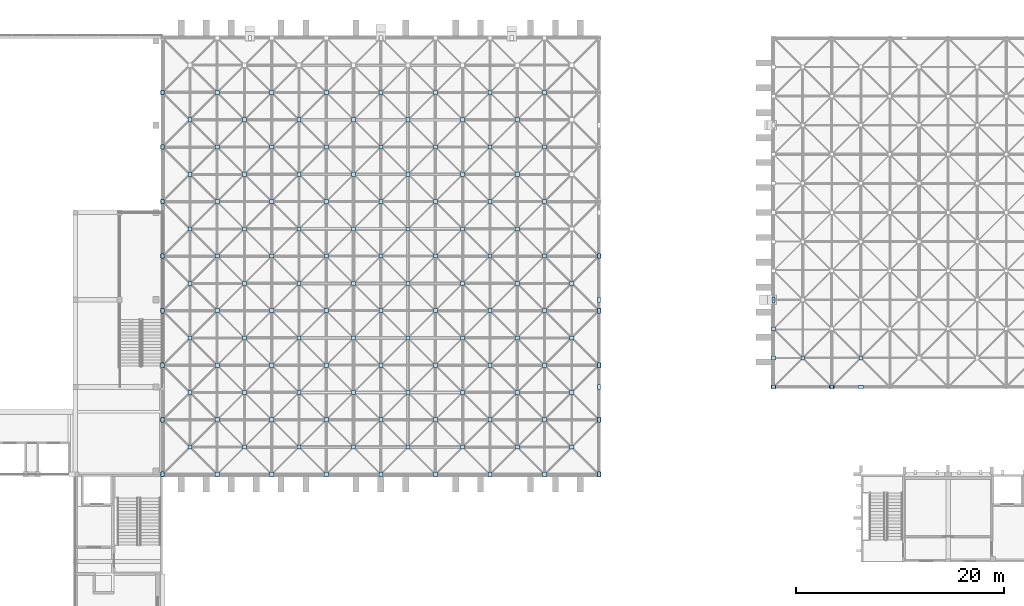
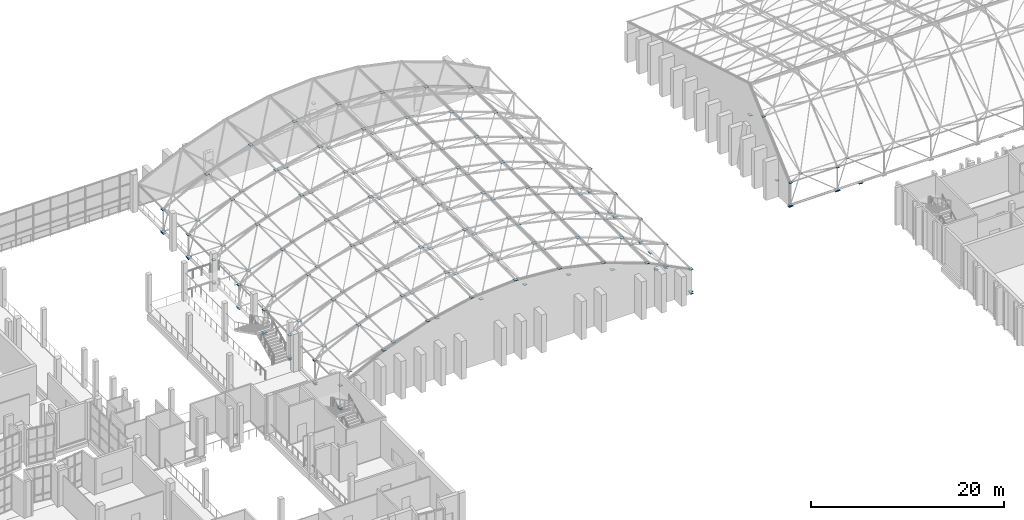
# One storey, part 56 of 100: 162 plates.
"""IFC4 building model written with IfcOpenShell, lengths in metres."""

import ifcopenshell
import ifcopenshell.guid

model = None  # the IFC model being written
_history = None  # IfcOwnerHistory: only IFC2X3 demands one
_inside = {}  # id of a spatial element -> (the spatial element, [elements in it])
_under = {}  # id of a project, library or spatial element -> (it, [spatial elements below it])
_declared = {}  # id of a project -> (the project, [libraries it declares])
_typed = {}  # id of a type object -> (the type object, [elements of that type])
_made_of = {}  # id of a material, layer set ... -> (it, [elements and type objects made of it])


def new_model(schema):
    """Start an empty IFC model of exactly this schema.

    Asked for "IFC4X3", IfcOpenShell would pick the latest addendum, in which some entities
    have other attributes; the version numbers below select the first issue.
    IFC2X3 requires an IfcOwnerHistory on every rooted entity: one is made here for all.
    """
    global model, _history
    if schema == "IFC4X3":
        model = ifcopenshell.file(schema_version=(4, 3, 0, 0))
    else:
        model = ifcopenshell.file(schema=schema)
    _inside.clear()
    _under.clear()
    _declared.clear()
    _typed.clear()
    _made_of.clear()
    _history = None
    if model.schema == "IFC2X3":
        org = make("IfcOrganization", Name="unknown")
        user = make(
            "IfcPersonAndOrganization",
            ThePerson=make("IfcPerson", FamilyName="unknown"),
            TheOrganization=org,
        )
        app = make(
            "IfcApplication",
            ApplicationDeveloper=org,
            Version="unknown",
            ApplicationFullName="unknown",
            ApplicationIdentifier="unknown",
        )
        _history = make(
            "IfcOwnerHistory",
            OwningUser=user,
            OwningApplication=app,
            ChangeAction="ADDED",
            CreationDate=0,
        )
    return model


def make(cls, **values):
    """One entity of the class cls with the attributes given. An attribute that is None is left unset."""
    return model.create_entity(
        cls, **{name: value for name, value in values.items() if value is not None}
    )


def rooted(cls, **values):
    """An entity with a GlobalId (a new one), such as an element, a storey or a relation."""
    return make(cls, GlobalId=ifcopenshell.guid.new(), OwnerHistory=_history, **values)


def si_unit(unit_type, name, prefix=None):
    """IfcSIUnit, for example si_unit("LENGTHUNIT", "METRE", prefix="MILLI")."""
    return make("IfcSIUnit", UnitType=unit_type, Prefix=prefix, Name=name)


def assignment(units):
    """IfcUnitAssignment: the units of a project."""
    return None if units is None else make("IfcUnitAssignment", Units=units)


def point(xyz):
    """IfcCartesianPoint."""
    return None if xyz is None else make("IfcCartesianPoint", Coordinates=xyz)


def direction(xyz):
    """IfcDirection."""
    return None if xyz is None else make("IfcDirection", DirectionRatios=xyz)


def frame(location, z_axis=None, x_axis=None):
    """IfcAxis2Placement3D, a coordinate frame: its origin and axes. An axis left out is left unset."""
    return make(
        "IfcAxis2Placement3D",
        Location=point(location),
        Axis=direction(z_axis),
        RefDirection=direction(x_axis),
    )


def frame_2d(location, x_axis=None):
    """IfcAxis2Placement2D, a coordinate frame in the plane: its origin and x axis."""
    return make(
        "IfcAxis2Placement2D", Location=point(location), RefDirection=direction(x_axis)
    )


def origin():
    """The frame at (0, 0, 0) with its axes left unset."""
    return frame((0.0, 0.0, 0.0))


def origin_2d():
    """The frame at (0, 0) in the plane with its x axis left unset."""
    return frame_2d((0.0, 0.0))


def place(relative_to, where):
    """IfcLocalPlacement: puts the frame where relative to a parent placement (None: the world)."""
    return make(
        "IfcLocalPlacement", PlacementRelTo=relative_to, RelativePlacement=where
    )


def context(
    kind, dimensions, precision=None, world=None, true_north=None, identifier=None
):
    """IfcGeometricRepresentationContext, for example the 3D "Model" context."""
    return make(
        "IfcGeometricRepresentationContext",
        ContextIdentifier=identifier,
        ContextType=kind,
        CoordinateSpaceDimension=dimensions,
        Precision=precision,
        WorldCoordinateSystem=world,
        TrueNorth=true_north,
    )


def subcontext(parent, identifier, kind, view, scale=None):
    """IfcGeometricRepresentationSubContext, for example "Body" below "Model"."""
    return make(
        "IfcGeometricRepresentationSubContext",
        ContextIdentifier=identifier,
        ContextType=kind,
        ParentContext=parent,
        TargetScale=scale,
        TargetView=view,
    )


def project(units=None, contexts=None):
    """IfcProject with its units and contexts."""
    return rooted(
        "IfcProject",
        Name="project",
        RepresentationContexts=contexts,
        UnitsInContext=assignment(units),
    )


def spatial(cls, under=None, at=None, **own):
    """A site, building, storey or space (cls), placed at a placement, below another one or the project."""
    s = rooted(cls, ObjectPlacement=at, **own)
    if under is not None:
        _under.setdefault(under.id(), (under, []))[1].append(s)
    return s


def profile(cls, at=None, kind="AREA", **sizes):
    """A parametric profile (cls). Its sizes go by their IFC names, for example OverallWidth=200.0."""
    return make(cls, ProfileType=kind, Position=at, **sizes)


def rectangle(**sizes):
    """IfcRectangleProfileDef."""
    return profile("IfcRectangleProfileDef", **sizes)


def extrude(swept, where, along, depth):
    """IfcExtrudedAreaSolid: the profile swept, set in the frame where, extruded along a direction by depth."""
    return make(
        "IfcExtrudedAreaSolid",
        SweptArea=swept,
        Position=where,
        ExtrudedDirection=direction(along),
        Depth=depth,
    )


def shape(context_of_items, identifier, shape_type, items):
    """IfcShapeRepresentation: the items that make up one representation, for example the "Body"."""
    return make(
        "IfcShapeRepresentation",
        ContextOfItems=context_of_items,
        RepresentationIdentifier=identifier,
        RepresentationType=shape_type,
        Items=items,
    )


def material(Name=None, Category=None):
    """IfcMaterial."""
    return make("IfcMaterial", Name=Name, Category=Category)


def layer(
    of_material, thickness, ventilated=None, Name=None, Category=None, Priority=None
):
    """IfcMaterialLayer: one layer of a wall or slab, of a material (None: an air gap)."""
    return make(
        "IfcMaterialLayer",
        Material=of_material,
        LayerThickness=thickness,
        IsVentilated=ventilated,
        Name=Name,
        Category=Category,
        Priority=Priority,
    )


def layer_set(layers, Name=None):
    """IfcMaterialLayerSet."""
    return make("IfcMaterialLayerSet", MaterialLayers=layers, LayerSetName=Name)


def made_of(thing, what):
    """Note that an element or type object is made of a material, layer set ...; save() writes the relation."""
    if what is not None:
        _made_of.setdefault(what.id(), (what, []))[1].append(thing)
    return thing


def type_object(cls, material=None, **own):
    """A type object (cls), such as IfcWallType, which elements share."""
    return made_of(rooted(cls, **own), material)


def element(
    cls,
    number,
    at=None,
    inside=None,
    cuts=None,
    type_object=None,
    material=None,
    context=None,
    identifier="Body",
    shape_type=None,
    held_by="IfcProductDefinitionShape",
    body=None,
    shapes=None,
    **own,
):
    """One element of the class cls, such as IfcWall. Its Tag is "e" and its number.

    at: its placement. inside: the storey or other place that contains it. cuts: it is an
    opening in that element (IfcRelVoidsElement). A single representation is given by context,
    identifier, shape_type and body (its items); several are given by shapes. held_by: the class
    of the entity that holds the representations. save() writes the other relations.
    """
    e = rooted(cls, Tag="e%d" % number, ObjectPlacement=at, **own)
    if body is not None:
        shapes = [shape(context, identifier, shape_type, body)]
    if shapes is not None:
        e.Representation = make(held_by, Representations=shapes)
    if inside is not None:
        _inside.setdefault(inside.id(), (inside, []))[1].append(e)
    if cuts is not None:
        rooted(
            "IfcRelVoidsElement", RelatingBuildingElement=cuts, RelatedOpeningElement=e
        )
    if type_object is not None:
        _typed.setdefault(type_object.id(), (type_object, []))[1].append(e)
    return made_of(e, material)


def aggregate(whole, parts):
    """IfcRelAggregates: a whole, such as a stair, and the parts it consists of."""
    return rooted("IfcRelAggregates", RelatingObject=whole, RelatedObjects=parts)


def save(model, path):
    """Write the relations noted so far, then the file.

    IfcRelAggregates (storeys below a building ...), IfcRelContainedInSpatialStructure (elements
    in a storey), IfcRelDefinesByType, IfcRelAssociatesMaterial and IfcRelDeclares: one each for
    every whole, place, type object, material and project.
    """
    for whole, parts in _under.values():
        aggregate(whole, parts)
    for where, things in _inside.values():
        rooted(
            "IfcRelContainedInSpatialStructure",
            RelatedElements=things,
            RelatingStructure=where,
        )
    for kind, things in _typed.values():
        rooted("IfcRelDefinesByType", RelatedObjects=things, RelatingType=kind)
    for what, things in _made_of.values():
        rooted("IfcRelAssociatesMaterial", RelatedObjects=things, RelatingMaterial=what)
    for by, libraries in _declared.values():
        rooted("IfcRelDeclares", RelatingContext=by, RelatedDefinitions=libraries)
    model.write(path)


model = new_model("IFC4")

# Units and contexts
model_context = context("Model", 3, precision=1e-05, world=origin(), true_north=direction((0.0, 1.0)))
body_context = subcontext(model_context, "Body", "Model", "MODEL_VIEW")
ifc_project = project(units=[si_unit("LENGTHUNIT", "METRE"), si_unit("AREAUNIT", "SQUARE_METRE"), si_unit("VOLUMEUNIT", "CUBIC_METRE"), si_unit("PLANEANGLEUNIT", "RADIAN"), si_unit("MASSUNIT", "GRAM", prefix="KILO")], contexts=[model_context])

# Site, building, storey
site_placement = place(None, origin())
site = spatial("IfcSite", under=ifc_project, at=site_placement, CompositionType="ELEMENT")
building_placement = place(site_placement, origin())
building = spatial("IfcBuilding", under=site, at=building_placement, Name="Kiln Court Media Centre", CompositionType="ELEMENT")
storey_placement = place(building_placement, frame((0.0, 0.0, 15.0)))
storey = spatial("IfcBuildingStorey", under=building, at=storey_placement, Name="L03", CompositionType="ELEMENT", Elevation=15.0)

# Plates
ifc_material_1 = material(Name="Steel ASTM A572 Gr 50", Category="steel")
ifc_layer_1 = layer(ifc_material_1, 0.030029296875)
ifc_layer_set_1 = layer_set([ifc_layer_1], Name="Steel ASTM A572 Gr 50 300x500x30 bearing plate")
plate_type_1 = type_object("IfcPlateType", Name="Steel ASTM A572 Gr 50 300x500x30 bearing plate", PredefinedType="USERDEFINED", material=ifc_layer_set_1)
for number, where, z_axis, x_axis, name in (
    (1, (58.800048828125, 25.199951171875, -0.001953125), (0.0, 0.0, 1.0), (1.0, 0.0, 0.0), "V1 roof bearing plate at node 58.8 25.2 bearing plate"),
    (2, (58.800048828125, 30.449951171875, -0.001953125), (0.0, 0.0, 1.0), (1.0, 0.0, 0.0), "V1 roof bearing plate at node 58.8 30.4 bearing plate"),
    (3, (58.800048828125, 35.699951171875, -0.001953125), (0.0, 0.0, 1.0), (1.0, 0.0, 0.0), "V1 roof bearing plate at node 58.8 35.7 bearing plate"),
    (4, (58.800048828125, 40.949951171875, -0.001953125), (0.0, 0.0, 1.0), (1.0, 0.0, 0.0), "V1 roof bearing plate at node 58.8 41.0 bearing plate"),
    (5, (58.800048828125, 46.199951171875, -0.001953125), (0.0, 0.0, 1.0), (1.0, 0.0, 0.0), "V1 roof bearing plate at node 58.8 46.2 bearing plate"),
    (6, (58.800048828125, 51.449951171875, -0.001953125), (0.0, 0.0, 1.0), (1.0, 0.0, 0.0), "V1 roof bearing plate at node 58.8 51.5 bearing plate"),
    (7, (58.800048828125, 56.699951171875, -0.001953125), (0.0, 0.0, 1.0), (1.0, 0.0, 0.0), "V1 roof bearing plate at node 58.8 56.7 bearing plate"),
    (8, (58.800048828125, 61.949951171875, -0.001953125), (0.0, 0.0, 1.0), (1.0, 0.0, 0.0), "V1 roof bearing plate at node 58.8 62.0 bearing plate"),
    (9, (100.800048828125, 25.199951171875, -0.001953125), (0.0, 0.0, 1.0), (1.0, 0.0, 0.0), "V1 roof bearing plate at node 100.8 25.2 bearing plate"),
    (10, (100.800048828125, 30.449951171875, -0.001953125), (0.0, 0.0, 1.0), (1.0, 0.0, 0.0), "V1 roof bearing plate at node 100.8 30.4 bearing plate"),
    (11, (100.800048828125, 35.699951171875, -0.001953125), (0.0, 0.0, 1.0), (1.0, 0.0, 0.0), "V1 roof bearing plate at node 100.8 35.7 bearing plate"),
    (12, (100.800048828125, 40.949951171875, -0.001953125), (0.0, 0.0, 1.0), (1.0, 0.0, 0.0), "V1 roof bearing plate at node 100.8 41.0 bearing plate"),
    (13, (100.800048828125, 46.199951171875, -0.001953125), (0.0, 0.0, 1.0), (1.0, 0.0, 0.0), "V1 roof bearing plate at node 100.8 46.2 bearing plate"),
    (14, (100.800048828125, 33.60009765625, -0.001953125), (0.0, 0.0, 1.0), (1.0, 0.0, 0.0), "V1 roof bearing plate at RC-V1-1 bearing plate"),
    (15, (100.800048828125, 42.0, -0.001953125), (0.0, 0.0, 1.0), (1.0, 0.0, 0.0), "V1 roof bearing plate at RC-V1-2 bearing plate"),
    (16, (117.60009765625, 42.0, 6.47607421875), (0.0, 0.0, 1.0), (1.0, 0.0, 0.0), "V2 roof bearing plate at RC-V2-6 bearing plate"),
):
    element("IfcPlate", number, at=place(storey_placement, frame(where, z_axis=z_axis, x_axis=x_axis)), inside=storey, type_object=plate_type_1, Name=name, ObjectType="BEARING PLATE", PredefinedType="USERDEFINED", context=body_context, shape_type="SweptSolid", body=[
        extrude(rectangle(XDim=0.300048828125, YDim=0.5, at=origin_2d()), origin(), (0.0, 0.0, 1.0), 0.030029296875),
    ])
ifc_material_2 = material(Name="Steel ASTM A572 Gr 50", Category="steel")
ifc_layer_2 = layer(ifc_material_2, 0.010009765625)
ifc_layer_set_2 = layer_set([ifc_layer_2], Name="Steel ASTM A572 Gr 50 350x350x10 connection plate V2")
plate_type_2 = type_object("IfcPlateType", Name="Steel ASTM A572 Gr 50 350x350x10 connection plate V2", PredefinedType="USERDEFINED", material=ifc_layer_set_2)
for number, where, z_axis, x_axis, name in (
    (17, (117.60009765625, 33.60009765625, 0.15966796875), (0.0, 0.0, 1.0), (1.0, 0.0, 0.0), "V2 node connection plate"),
    (18, (117.60009765625, 33.60009765625, 2.9951171875), (0.0, 0.0, 1.0), (1.0, 0.0, 0.0), "V2 node connection plate"),
    (19, (117.60009765625, 36.39990234375, 1.59814453125), (0.0, 0.0, 1.0), (1.0, 0.0, 0.0), "V2 node connection plate"),
    (20, (117.60009765625, 39.199951171875, 7.9951171875), (0.0, 0.0, 1.0), (1.0, 0.0, 0.0), "V2 node connection plate"),
    (21, (120.39990234375, 36.39990234375, 1.47314453125), (0.0, 0.0, 1.0), (1.0, 0.0, 0.0), "V2 node connection plate"),
    (22, (123.199951171875, 33.60009765625, 0.15966796875), (0.0, 0.0, 1.0), (1.0, 0.0, 0.0), "V2 node connection plate"),
    (23, (123.199951171875, 33.60009765625, 2.9951171875), (0.0, 0.0, 1.0), (1.0, 0.0, 0.0), "V2 node connection plate"),
    (24, (126.0, 36.39990234375, 1.47314453125), (0.0, 0.0, 1.0), (1.0, 0.0, 0.0), "V2 node connection plate"),
):
    element("IfcPlate", number, at=place(storey_placement, frame(where, z_axis=z_axis, x_axis=x_axis)), inside=storey, type_object=plate_type_2, Name=name, ObjectType="CONNECTION PLATE", PredefinedType="USERDEFINED", context=body_context, shape_type="SweptSolid", body=[
        extrude(rectangle(XDim=0.35009765625, YDim=0.35009765625, at=origin_2d()), origin(), (0.0, 0.0, 1.0), 0.010009765625),
    ])
ifc_material_3 = material(Name="Steel ASTM A572 Gr 50", Category="steel")
ifc_layer_3 = layer(ifc_material_3, 0.011962890625)
ifc_layer_set_3 = layer_set([ifc_layer_3], Name="Steel ASTM A572 Gr 50 400x400x12 connection plate V1")
plate_type_3 = type_object("IfcPlateType", Name="Steel ASTM A572 Gr 50 400x400x12 connection plate V1", PredefinedType="USERDEFINED", material=ifc_layer_set_3)
for number, where, z_axis, x_axis, name in (
    (25, (58.800048828125, 25.199951171875, 0.18408203125), (0.0, 0.0, 1.0), (1.0, 0.0, 0.0), "V1 node connection plate"),
    (26, (58.800048828125, 25.199951171875, 2.994140625), (0.0, 0.0, 1.0), (1.0, 0.0, 0.0), "V1 node connection plate"),
    (27, (58.800048828125, 30.449951171875, 0.18408203125), (0.0, 0.0, 1.0), (1.0, 0.0, 0.0), "V1 node connection plate"),
    (28, (58.800048828125, 30.449951171875, 2.994140625), (0.0, 0.0, 1.0), (1.0, 0.0, 0.0), "V1 node connection plate"),
    (29, (58.800048828125, 35.699951171875, 0.18408203125), (0.0, 0.0, 1.0), (1.0, 0.0, 0.0), "V1 node connection plate"),
    (30, (58.800048828125, 35.699951171875, 2.994140625), (0.0, 0.0, 1.0), (1.0, 0.0, 0.0), "V1 node connection plate"),
    (31, (58.800048828125, 40.949951171875, 0.18408203125), (0.0, 0.0, 1.0), (1.0, 0.0, 0.0), "V1 node connection plate"),
    (32, (58.800048828125, 40.949951171875, 2.994140625), (0.0, 0.0, 1.0), (1.0, 0.0, 0.0), "V1 node connection plate"),
    (33, (58.800048828125, 46.199951171875, 0.18408203125), (0.0, 0.0, 1.0), (1.0, 0.0, 0.0), "V1 node connection plate"),
    (34, (58.800048828125, 46.199951171875, 2.994140625), (0.0, 0.0, 1.0), (1.0, 0.0, 0.0), "V1 node connection plate"),
    (35, (58.800048828125, 51.449951171875, 0.18408203125), (0.0, 0.0, 1.0), (1.0, 0.0, 0.0), "V1 node connection plate"),
    (36, (58.800048828125, 51.449951171875, 2.994140625), (0.0, 0.0, 1.0), (1.0, 0.0, 0.0), "V1 node connection plate"),
    (37, (58.800048828125, 56.699951171875, 0.18408203125), (0.0, 0.0, 1.0), (1.0, 0.0, 0.0), "V1 node connection plate"),
    (38, (58.800048828125, 56.699951171875, 2.994140625), (0.0, 0.0, 1.0), (1.0, 0.0, 0.0), "V1 node connection plate"),
    (39, (58.800048828125, 61.949951171875, 0.18408203125), (0.0, 0.0, 1.0), (1.0, 0.0, 0.0), "V1 node connection plate"),
    (40, (58.800048828125, 61.949951171875, 2.994140625), (0.0, 0.0, 1.0), (1.0, 0.0, 0.0), "V1 node connection plate"),
    (41, (61.425048828125, 27.824951171875, 2.2919921875), (0.0, 0.0, 1.0), (1.0, 0.0, 0.0), "V1 node connection plate"),
    (42, (61.425048828125, 33.074951171875, 2.2919921875), (0.0, 0.0, 1.0), (1.0, 0.0, 0.0), "V1 node connection plate"),
    (43, (61.425048828125, 38.324951171875, 2.2919921875), (0.0, 0.0, 1.0), (1.0, 0.0, 0.0), "V1 node connection plate"),
    (44, (61.425048828125, 43.574951171875, 2.2919921875), (0.0, 0.0, 1.0), (1.0, 0.0, 0.0), "V1 node connection plate"),
    (45, (61.425048828125, 48.824951171875, 2.2919921875), (0.0, 0.0, 1.0), (1.0, 0.0, 0.0), "V1 node connection plate"),
    (46, (61.425048828125, 54.074951171875, 2.2919921875), (0.0, 0.0, 1.0), (1.0, 0.0, 0.0), "V1 node connection plate"),
    (47, (61.425048828125, 59.324951171875, 2.2919921875), (0.0, 0.0, 1.0), (1.0, 0.0, 0.0), "V1 node connection plate"),
    (48, (64.050048828125, 25.199951171875, 5.619140625), (0.0, 0.0, 1.0), (1.0, 0.0, 0.0), "V1 node connection plate"),
    (49, (64.050048828125, 30.449951171875, 5.619140625), (0.0, 0.0, 1.0), (1.0, 0.0, 0.0), "V1 node connection plate"),
    (50, (64.050048828125, 35.699951171875, 5.619140625), (0.0, 0.0, 1.0), (1.0, 0.0, 0.0), "V1 node connection plate"),
    (51, (64.050048828125, 40.949951171875, 5.619140625), (0.0, 0.0, 1.0), (1.0, 0.0, 0.0), "V1 node connection plate"),
    (52, (64.050048828125, 46.199951171875, 5.619140625), (0.0, 0.0, 1.0), (1.0, 0.0, 0.0), "V1 node connection plate"),
    (53, (64.050048828125, 51.449951171875, 5.619140625), (0.0, 0.0, 1.0), (1.0, 0.0, 0.0), "V1 node connection plate"),
    (54, (64.050048828125, 56.699951171875, 5.619140625), (0.0, 0.0, 1.0), (1.0, 0.0, 0.0), "V1 node connection plate"),
    (55, (64.050048828125, 61.949951171875, 5.619140625), (0.0, 0.0, 1.0), (1.0, 0.0, 0.0), "V1 node connection plate"),
    (56, (66.675048828125, 27.824951171875, 4.12744140625), (0.0, 0.0, 1.0), (1.0, 0.0, 0.0), "V1 node connection plate"),
    (57, (66.675048828125, 33.074951171875, 4.12744140625), (0.0, 0.0, 1.0), (1.0, 0.0, 0.0), "V1 node connection plate"),
    (58, (66.675048828125, 38.324951171875, 4.12744140625), (0.0, 0.0, 1.0), (1.0, 0.0, 0.0), "V1 node connection plate"),
    (59, (66.675048828125, 43.574951171875, 4.12744140625), (0.0, 0.0, 1.0), (1.0, 0.0, 0.0), "V1 node connection plate"),
    (60, (66.675048828125, 48.824951171875, 4.12744140625), (0.0, 0.0, 1.0), (1.0, 0.0, 0.0), "V1 node connection plate"),
    (61, (66.675048828125, 54.074951171875, 4.12744140625), (0.0, 0.0, 1.0), (1.0, 0.0, 0.0), "V1 node connection plate"),
    (62, (66.675048828125, 59.324951171875, 4.12744140625), (0.0, 0.0, 1.0), (1.0, 0.0, 0.0), "V1 node connection plate"),
    (63, (69.300048828125, 25.199951171875, 7.494140625), (0.0, 0.0, 1.0), (1.0, 0.0, 0.0), "V1 node connection plate"),
    (64, (69.300048828125, 30.449951171875, 7.494140625), (0.0, 0.0, 1.0), (1.0, 0.0, 0.0), "V1 node connection plate"),
    (65, (69.300048828125, 35.699951171875, 7.494140625), (0.0, 0.0, 1.0), (1.0, 0.0, 0.0), "V1 node connection plate"),
    (66, (69.300048828125, 40.949951171875, 7.494140625), (0.0, 0.0, 1.0), (1.0, 0.0, 0.0), "V1 node connection plate"),
    (67, (69.300048828125, 46.199951171875, 7.494140625), (0.0, 0.0, 1.0), (1.0, 0.0, 0.0), "V1 node connection plate"),
    (68, (69.300048828125, 51.449951171875, 7.494140625), (0.0, 0.0, 1.0), (1.0, 0.0, 0.0), "V1 node connection plate"),
    (69, (69.300048828125, 56.699951171875, 7.494140625), (0.0, 0.0, 1.0), (1.0, 0.0, 0.0), "V1 node connection plate"),
    (70, (69.300048828125, 61.949951171875, 7.494140625), (0.0, 0.0, 1.0), (1.0, 0.0, 0.0), "V1 node connection plate"),
    (71, (71.925048828125, 27.824951171875, 5.328125), (0.0, 0.0, 1.0), (1.0, 0.0, 0.0), "V1 node connection plate"),
    (72, (71.925048828125, 33.074951171875, 5.328125), (0.0, 0.0, 1.0), (1.0, 0.0, 0.0), "V1 node connection plate"),
    (73, (71.925048828125, 38.324951171875, 5.328125), (0.0, 0.0, 1.0), (1.0, 0.0, 0.0), "V1 node connection plate"),
    (74, (71.925048828125, 43.574951171875, 5.328125), (0.0, 0.0, 1.0), (1.0, 0.0, 0.0), "V1 node connection plate"),
    (75, (71.925048828125, 48.824951171875, 5.328125), (0.0, 0.0, 1.0), (1.0, 0.0, 0.0), "V1 node connection plate"),
    (76, (71.925048828125, 54.074951171875, 5.328125), (0.0, 0.0, 1.0), (1.0, 0.0, 0.0), "V1 node connection plate"),
    (77, (71.925048828125, 59.324951171875, 5.328125), (0.0, 0.0, 1.0), (1.0, 0.0, 0.0), "V1 node connection plate"),
    (78, (74.550048828125, 25.199951171875, 8.619140625), (0.0, 0.0, 1.0), (1.0, 0.0, 0.0), "V1 node connection plate"),
    (79, (74.550048828125, 30.449951171875, 8.619140625), (0.0, 0.0, 1.0), (1.0, 0.0, 0.0), "V1 node connection plate"),
    (80, (74.550048828125, 35.699951171875, 8.619140625), (0.0, 0.0, 1.0), (1.0, 0.0, 0.0), "V1 node connection plate"),
    (81, (74.550048828125, 40.949951171875, 8.619140625), (0.0, 0.0, 1.0), (1.0, 0.0, 0.0), "V1 node connection plate"),
    (82, (74.550048828125, 46.199951171875, 8.619140625), (0.0, 0.0, 1.0), (1.0, 0.0, 0.0), "V1 node connection plate"),
    (83, (74.550048828125, 51.449951171875, 8.619140625), (0.0, 0.0, 1.0), (1.0, 0.0, 0.0), "V1 node connection plate"),
    (84, (74.550048828125, 56.699951171875, 8.619140625), (0.0, 0.0, 1.0), (1.0, 0.0, 0.0), "V1 node connection plate"),
    (85, (74.550048828125, 61.949951171875, 8.619140625), (0.0, 0.0, 1.0), (1.0, 0.0, 0.0), "V1 node connection plate"),
    (86, (77.175048828125, 27.824951171875, 5.92041015625), (0.0, 0.0, 1.0), (1.0, 0.0, 0.0), "V1 node connection plate"),
    (87, (77.175048828125, 33.074951171875, 5.92041015625), (0.0, 0.0, 1.0), (1.0, 0.0, 0.0), "V1 node connection plate"),
    (88, (77.175048828125, 38.324951171875, 5.92041015625), (0.0, 0.0, 1.0), (1.0, 0.0, 0.0), "V1 node connection plate"),
    (89, (77.175048828125, 43.574951171875, 5.92041015625), (0.0, 0.0, 1.0), (1.0, 0.0, 0.0), "V1 node connection plate"),
    (90, (77.175048828125, 48.824951171875, 5.92041015625), (0.0, 0.0, 1.0), (1.0, 0.0, 0.0), "V1 node connection plate"),
    (91, (77.175048828125, 54.074951171875, 5.92041015625), (0.0, 0.0, 1.0), (1.0, 0.0, 0.0), "V1 node connection plate"),
    (92, (77.175048828125, 59.324951171875, 5.92041015625), (0.0, 0.0, 1.0), (1.0, 0.0, 0.0), "V1 node connection plate"),
    (93, (79.800048828125, 25.199951171875, 8.994140625), (0.0, 0.0, 1.0), (1.0, 0.0, 0.0), "V1 node connection plate"),
    (94, (79.800048828125, 30.449951171875, 8.994140625), (0.0, 0.0, 1.0), (1.0, 0.0, 0.0), "V1 node connection plate"),
    (95, (79.800048828125, 35.699951171875, 8.994140625), (0.0, 0.0, 1.0), (1.0, 0.0, 0.0), "V1 node connection plate"),
    (96, (79.800048828125, 40.949951171875, 8.994140625), (0.0, 0.0, 1.0), (1.0, 0.0, 0.0), "V1 node connection plate"),
    (97, (79.800048828125, 46.199951171875, 8.994140625), (0.0, 0.0, 1.0), (1.0, 0.0, 0.0), "V1 node connection plate"),
    (98, (79.800048828125, 51.449951171875, 8.994140625), (0.0, 0.0, 1.0), (1.0, 0.0, 0.0), "V1 node connection plate"),
    (99, (79.800048828125, 56.699951171875, 8.994140625), (0.0, 0.0, 1.0), (1.0, 0.0, 0.0), "V1 node connection plate"),
    (100, (79.800048828125, 61.949951171875, 8.994140625), (0.0, 0.0, 1.0), (1.0, 0.0, 0.0), "V1 node connection plate"),
    (101, (82.425048828125, 27.824951171875, 5.92041015625), (0.0, 0.0, 1.0), (1.0, 0.0, 0.0), "V1 node connection plate"),
    (102, (82.425048828125, 33.074951171875, 5.92041015625), (0.0, 0.0, 1.0), (1.0, 0.0, 0.0), "V1 node connection plate"),
    (103, (82.425048828125, 38.324951171875, 5.92041015625), (0.0, 0.0, 1.0), (1.0, 0.0, 0.0), "V1 node connection plate"),
    (104, (82.425048828125, 43.574951171875, 5.92041015625), (0.0, 0.0, 1.0), (1.0, 0.0, 0.0), "V1 node connection plate"),
    (105, (82.425048828125, 48.824951171875, 5.92041015625), (0.0, 0.0, 1.0), (1.0, 0.0, 0.0), "V1 node connection plate"),
    (106, (82.425048828125, 54.074951171875, 5.92041015625), (0.0, 0.0, 1.0), (1.0, 0.0, 0.0), "V1 node connection plate"),
    (107, (82.425048828125, 59.324951171875, 5.92041015625), (0.0, 0.0, 1.0), (1.0, 0.0, 0.0), "V1 node connection plate"),
    (108, (85.050048828125, 25.199951171875, 8.619140625), (0.0, 0.0, 1.0), (1.0, 0.0, 0.0), "V1 node connection plate"),
    (109, (85.050048828125, 30.449951171875, 8.619140625), (0.0, 0.0, 1.0), (1.0, 0.0, 0.0), "V1 node connection plate"),
    (110, (85.050048828125, 35.699951171875, 8.619140625), (0.0, 0.0, 1.0), (1.0, 0.0, 0.0), "V1 node connection plate"),
    (111, (85.050048828125, 40.949951171875, 8.619140625), (0.0, 0.0, 1.0), (1.0, 0.0, 0.0), "V1 node connection plate"),
    (112, (85.050048828125, 46.199951171875, 8.619140625), (0.0, 0.0, 1.0), (1.0, 0.0, 0.0), "V1 node connection plate"),
    (113, (85.050048828125, 51.449951171875, 8.619140625), (0.0, 0.0, 1.0), (1.0, 0.0, 0.0), "V1 node connection plate"),
    (114, (85.050048828125, 56.699951171875, 8.619140625), (0.0, 0.0, 1.0), (1.0, 0.0, 0.0), "V1 node connection plate"),
    (115, (85.050048828125, 61.949951171875, 8.619140625), (0.0, 0.0, 1.0), (1.0, 0.0, 0.0), "V1 node connection plate"),
    (116, (87.675048828125, 27.824951171875, 5.328125), (0.0, 0.0, 1.0), (1.0, 0.0, 0.0), "V1 node connection plate"),
    (117, (87.675048828125, 33.074951171875, 5.328125), (0.0, 0.0, 1.0), (1.0, 0.0, 0.0), "V1 node connection plate"),
    (118, (87.675048828125, 38.324951171875, 5.328125), (0.0, 0.0, 1.0), (1.0, 0.0, 0.0), "V1 node connection plate"),
    (119, (87.675048828125, 43.574951171875, 5.328125), (0.0, 0.0, 1.0), (1.0, 0.0, 0.0), "V1 node connection plate"),
    (120, (87.675048828125, 48.824951171875, 5.328125), (0.0, 0.0, 1.0), (1.0, 0.0, 0.0), "V1 node connection plate"),
    (121, (87.675048828125, 54.074951171875, 5.328125), (0.0, 0.0, 1.0), (1.0, 0.0, 0.0), "V1 node connection plate"),
    (122, (87.675048828125, 59.324951171875, 5.328125), (0.0, 0.0, 1.0), (1.0, 0.0, 0.0), "V1 node connection plate"),
    (123, (90.300048828125, 25.199951171875, 7.494140625), (0.0, 0.0, 1.0), (1.0, 0.0, 0.0), "V1 node connection plate"),
    (124, (90.300048828125, 30.449951171875, 7.494140625), (0.0, 0.0, 1.0), (1.0, 0.0, 0.0), "V1 node connection plate"),
    (125, (90.300048828125, 35.699951171875, 7.494140625), (0.0, 0.0, 1.0), (1.0, 0.0, 0.0), "V1 node connection plate"),
    (126, (90.300048828125, 40.949951171875, 7.494140625), (0.0, 0.0, 1.0), (1.0, 0.0, 0.0), "V1 node connection plate"),
    (127, (90.300048828125, 46.199951171875, 7.494140625), (0.0, 0.0, 1.0), (1.0, 0.0, 0.0), "V1 node connection plate"),
    (128, (90.300048828125, 51.449951171875, 7.494140625), (0.0, 0.0, 1.0), (1.0, 0.0, 0.0), "V1 node connection plate"),
    (129, (90.300048828125, 56.699951171875, 7.494140625), (0.0, 0.0, 1.0), (1.0, 0.0, 0.0), "V1 node connection plate"),
    (130, (90.300048828125, 61.949951171875, 7.494140625), (0.0, 0.0, 1.0), (1.0, 0.0, 0.0), "V1 node connection plate"),
    (131, (92.925048828125, 27.824951171875, 4.12744140625), (0.0, 0.0, 1.0), (1.0, 0.0, 0.0), "V1 node connection plate"),
    (132, (92.925048828125, 33.074951171875, 4.12744140625), (0.0, 0.0, 1.0), (1.0, 0.0, 0.0), "V1 node connection plate"),
    (133, (92.925048828125, 38.324951171875, 4.12744140625), (0.0, 0.0, 1.0), (1.0, 0.0, 0.0), "V1 node connection plate"),
    (134, (92.925048828125, 43.574951171875, 4.12744140625), (0.0, 0.0, 1.0), (1.0, 0.0, 0.0), "V1 node connection plate"),
    (135, (92.925048828125, 48.824951171875, 4.12744140625), (0.0, 0.0, 1.0), (1.0, 0.0, 0.0), "V1 node connection plate"),
    (136, (92.925048828125, 54.074951171875, 4.12744140625), (0.0, 0.0, 1.0), (1.0, 0.0, 0.0), "V1 node connection plate"),
    (137, (92.925048828125, 59.324951171875, 4.12744140625), (0.0, 0.0, 1.0), (1.0, 0.0, 0.0), "V1 node connection plate"),
    (138, (95.550048828125, 25.199951171875, 5.619140625), (0.0, 0.0, 1.0), (1.0, 0.0, 0.0), "V1 node connection plate"),
    (139, (95.550048828125, 30.449951171875, 5.619140625), (0.0, 0.0, 1.0), (1.0, 0.0, 0.0), "V1 node connection plate"),
    (140, (95.550048828125, 35.699951171875, 5.619140625), (0.0, 0.0, 1.0), (1.0, 0.0, 0.0), "V1 node connection plate"),
    (141, (95.550048828125, 40.949951171875, 5.619140625), (0.0, 0.0, 1.0), (1.0, 0.0, 0.0), "V1 node connection plate"),
    (142, (95.550048828125, 46.199951171875, 5.619140625), (0.0, 0.0, 1.0), (1.0, 0.0, 0.0), "V1 node connection plate"),
    (143, (95.550048828125, 51.449951171875, 5.619140625), (0.0, 0.0, 1.0), (1.0, 0.0, 0.0), "V1 node connection plate"),
    (144, (95.550048828125, 56.699951171875, 5.619140625), (0.0, 0.0, 1.0), (1.0, 0.0, 0.0), "V1 node connection plate"),
    (145, (95.550048828125, 61.949951171875, 5.619140625), (0.0, 0.0, 1.0), (1.0, 0.0, 0.0), "V1 node connection plate"),
    (146, (98.175048828125, 27.824951171875, 2.2919921875), (0.0, 0.0, 1.0), (1.0, 0.0, 0.0), "V1 node connection plate"),
    (147, (98.175048828125, 33.074951171875, 2.2919921875), (0.0, 0.0, 1.0), (1.0, 0.0, 0.0), "V1 node connection plate"),
    (148, (98.175048828125, 38.324951171875, 2.2919921875), (0.0, 0.0, 1.0), (1.0, 0.0, 0.0), "V1 node connection plate"),
    (149, (98.175048828125, 43.574951171875, 2.2919921875), (0.0, 0.0, 1.0), (1.0, 0.0, 0.0), "V1 node connection plate"),
    (150, (100.800048828125, 25.199951171875, 0.18408203125), (0.0, 0.0, 1.0), (1.0, 0.0, 0.0), "V1 node connection plate"),
    (151, (100.800048828125, 25.199951171875, 2.994140625), (0.0, 0.0, 1.0), (1.0, 0.0, 0.0), "V1 node connection plate"),
    (152, (100.800048828125, 30.449951171875, 0.18408203125), (0.0, 0.0, 1.0), (1.0, 0.0, 0.0), "V1 node connection plate"),
    (153, (100.800048828125, 30.449951171875, 2.994140625), (0.0, 0.0, 1.0), (1.0, 0.0, 0.0), "V1 node connection plate"),
    (154, (100.800048828125, 35.699951171875, 0.18408203125), (0.0, 0.0, 1.0), (1.0, 0.0, 0.0), "V1 node connection plate"),
    (155, (100.800048828125, 35.699951171875, 2.994140625), (0.0, 0.0, 1.0), (1.0, 0.0, 0.0), "V1 node connection plate"),
    (156, (100.800048828125, 40.949951171875, 0.18408203125), (0.0, 0.0, 1.0), (1.0, 0.0, 0.0), "V1 node connection plate"),
    (157, (100.800048828125, 40.949951171875, 2.994140625), (0.0, 0.0, 1.0), (1.0, 0.0, 0.0), "V1 node connection plate"),
    (158, (100.800048828125, 46.199951171875, 0.18408203125), (0.0, 0.0, 1.0), (1.0, 0.0, 0.0), "V1 node connection plate"),
    (159, (100.800048828125, 46.199951171875, 2.994140625), (0.0, 0.0, 1.0), (1.0, 0.0, 0.0), "V1 node connection plate"),
):
    element("IfcPlate", number, at=place(storey_placement, frame(where, z_axis=z_axis, x_axis=x_axis)), inside=storey, type_object=plate_type_3, Name=name, ObjectType="CONNECTION PLATE", PredefinedType="USERDEFINED", context=body_context, shape_type="SweptSolid", body=[
        extrude(rectangle(XDim=0.39990234375, YDim=0.39990234375, at=origin_2d()), origin(), (0.0, 0.0, 1.0), 0.011962890625),
    ])
ifc_material_4 = material(Name="Steel ASTM A572 Gr 50", Category="steel")
ifc_layer_4 = layer(ifc_material_4, 0.030029296875)
ifc_layer_set_4 = layer_set([ifc_layer_4], Name="Steel ASTM A572 Gr 50 500x300x30 bearing plate")
plate_type_4 = type_object("IfcPlateType", Name="Steel ASTM A572 Gr 50 500x300x30 bearing plate", PredefinedType="USERDEFINED", material=ifc_layer_set_4)
for number, where, z_axis, x_axis, name in (
    (160, (117.60009765625, 33.60009765625, -0.001953125), (0.0, 0.0, 1.0), (1.0, 0.0, 0.0), "V2 roof bearing plate at node 117.6 33.6 bearing plate"),
    (161, (123.199951171875, 33.60009765625, -0.001953125), (0.0, 0.0, 1.0), (1.0, 0.0, 0.0), "V2 roof bearing plate at node 123.2 33.6 bearing plate"),
    (162, (126.0, 33.60009765625, -0.001953125), (0.0, 0.0, 1.0), (1.0, 0.0, 0.0), "V2 roof bearing plate at RC-V2-1 bearing plate"),
):
    element("IfcPlate", number, at=place(storey_placement, frame(where, z_axis=z_axis, x_axis=x_axis)), inside=storey, type_object=plate_type_4, Name=name, ObjectType="BEARING PLATE", PredefinedType="USERDEFINED", context=body_context, shape_type="SweptSolid", body=[
        extrude(rectangle(XDim=0.5, YDim=0.300048828125, at=origin_2d()), origin(), (0.0, 0.0, 1.0), 0.030029296875),
    ])

save(model, "model.ifc")
